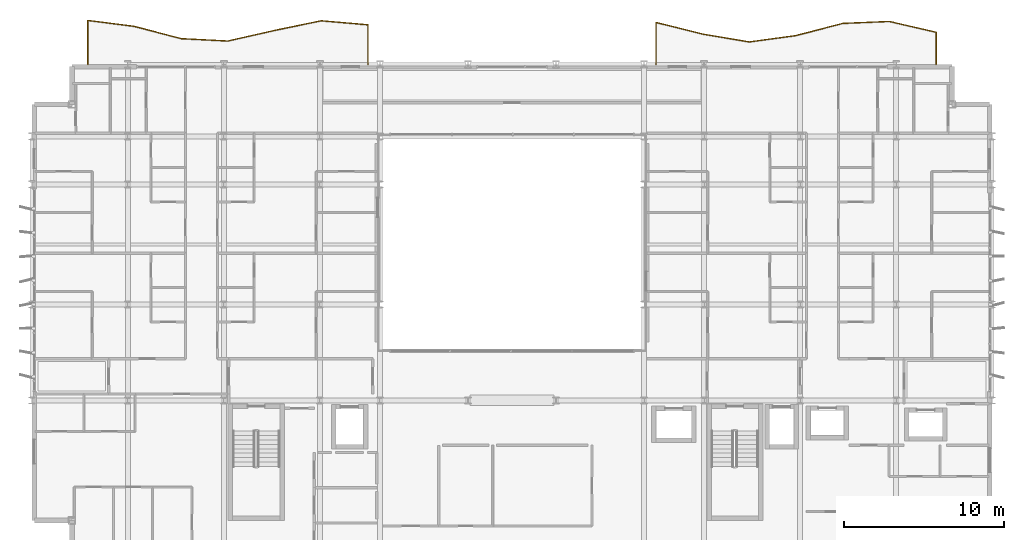
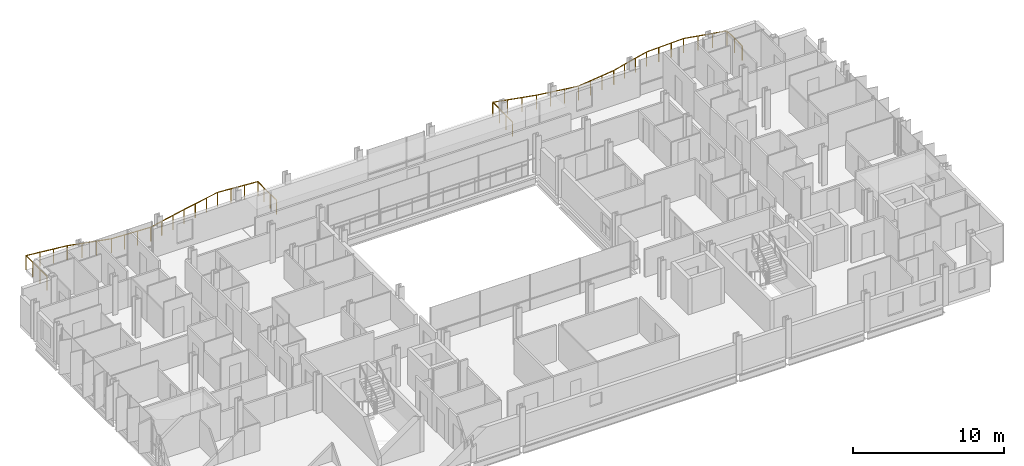
# One storey, part 39 of 39: 2 railings.
"""IFC4 building model written with IfcOpenShell, lengths in metres."""

from ifc_helpers import new_model, si_unit, direction, frame, origin, origin_2d, place, context, subcontext, project, spatial, circle, extrude, material, type_object, element, save


model = new_model("IFC4")

# Units and contexts
model_context = context("Model", 3, precision=1e-05, world=origin(), true_north=direction((0.0, 1.0)))
body_context = subcontext(model_context, "Body", "Model", "MODEL_VIEW")
ifc_project = project(units=[si_unit("LENGTHUNIT", "METRE"), si_unit("AREAUNIT", "SQUARE_METRE"), si_unit("VOLUMEUNIT", "CUBIC_METRE"), si_unit("PLANEANGLEUNIT", "RADIAN"), si_unit("MASSUNIT", "GRAM", prefix="KILO")], contexts=[model_context])

# Site, building, storey
site_placement = place(None, origin())
site = spatial("IfcSite", under=ifc_project, at=site_placement, CompositionType="ELEMENT")
building_placement = place(site_placement, origin())
building = spatial("IfcBuilding", under=site, at=building_placement, Name="Brevholm Reach", CompositionType="ELEMENT")
storey_placement = place(building_placement, frame((0.0, 0.0, 77.60009765625)))
storey = spatial("IfcBuildingStorey", under=building, at=storey_placement, Name="L22", CompositionType="ELEMENT", Elevation=77.60009765625)

# Railings
ifc_material = material(Name="Brushed Stainless Steel EN 1.4401 and Laminated Glass", Category="steel")
railing_type = type_object("IfcRailingType", Name="RAL-BALC-1150", PredefinedType="BALUSTRADE", material=ifc_material)
railing_1_placement = place(storey_placement, frame((56.5, 31.0, 0.0)))
element("IfcRailing", 1, at=railing_1_placement, inside=storey, type_object=railing_type, Name="L22 Guard Balustrade RAL-L22-BAL-NE", PredefinedType="BALUSTRADE", context=body_context, shape_type="SweptSolid", body=[
    extrude(circle(Radius=0.02392578125, at=origin_2d()), frame((0.0, 0.0, 1.1259765625), z_axis=(0.0, 1.0, 0.0), x_axis=(-1.0, 0.0, 0.0)), (0.0, 0.0, 1.0), 2.00439453125),
    extrude(circle(Radius=0.02392578125, at=origin_2d()), frame((0.0, 2.00439453125, 1.1259765625), z_axis=(-0.974086615793, 0.226175296912, 0.0), x_axis=(-0.226175296912, -0.974086615793, 0.0)), (0.0, 0.0, 1.0), 2.994384765625),
    extrude(circle(Radius=0.02392578125, at=origin_2d()), frame((-2.916748046875, 2.681640625, 1.1259765625), z_axis=(-0.999139150441, -0.041484431493, 0.0), x_axis=(0.041484431493, -0.999139150441, 0.0)), (0.0, 0.0, 1.0), 2.9189453125),
    extrude(circle(Radius=0.02392578125, at=origin_2d()), frame((-5.833251953125, 2.560546875, 1.1259765625), z_axis=(-0.967688627029, -0.252148212601, 0.0), x_axis=(0.252148212601, -0.967688627029, 0.0)), (0.0, 0.0, 1.0), 3.01416015625),
    extrude(circle(Radius=0.02392578125, at=origin_2d()), frame((-8.75, 1.800537109375, 1.1259765625), z_axis=(-0.990776091279, -0.135509176626, 0.0), x_axis=(0.135509176626, -0.990776091279, 0.0)), (0.0, 0.0, 1.0), 2.94384765625),
    extrude(circle(Radius=0.02392578125, at=origin_2d()), frame((-11.666748046875, 1.401611328125, 1.1259765625), z_axis=(-0.986326897089, 0.164800643445, 0.0), x_axis=(-0.164800643445, -0.986326897089, 0.0)), (0.0, 0.0, 1.0), 2.95703125),
    extrude(circle(Radius=0.02392578125, at=origin_2d()), frame((-14.583251953125, 1.888916015625, 1.1259765625), z_axis=(-0.969908046993, 0.243471518618, 0.0), x_axis=(-0.243471518618, -0.969908046993, 0.0)), (0.0, 0.0, 1.0), 3.00732421875),
    extrude(circle(Radius=0.02392578125, at=origin_2d()), frame((-17.5, 2.62109375, 1.1259765625), z_axis=(0.0, -1.0, 0.0), x_axis=(1.0, 0.0, 0.0)), (0.0, 0.0, 1.0), 2.62109375),
    extrude(circle(Radius=0.02099609375, at=origin_2d()), origin(), (0.0, 0.0, 1.0), 1.101806640625),
    extrude(circle(Radius=0.02099609375, at=origin_2d()), frame((0.0, 1.002197265625, 0.0)), (0.0, 0.0, 1.0), 1.101806640625),
    extrude(circle(Radius=0.02099609375, at=origin_2d()), frame((0.0, 2.00439453125, 0.0)), (0.0, 0.0, 1.0), 1.101806640625),
    extrude(circle(Radius=0.02099609375, at=origin_2d()), frame((-0.97216796875, 2.230224609375, 0.0)), (0.0, 0.0, 1.0), 1.101806640625),
    extrude(circle(Radius=0.02099609375, at=origin_2d()), frame((-1.944580078125, 2.455810546875, 0.0)), (0.0, 0.0, 1.0), 1.101806640625),
    extrude(circle(Radius=0.02099609375, at=origin_2d()), frame((-2.916748046875, 2.681640625, 0.0)), (0.0, 0.0, 1.0), 1.101806640625),
    extrude(circle(Radius=0.02099609375, at=origin_2d()), frame((-3.888916015625, 2.641357421875, 0.0)), (0.0, 0.0, 1.0), 1.101806640625),
    extrude(circle(Radius=0.02099609375, at=origin_2d()), frame((-4.861083984375, 2.600830078125, 0.0)), (0.0, 0.0, 1.0), 1.101806640625),
    extrude(circle(Radius=0.02099609375, at=origin_2d()), frame((-5.833251953125, 2.560546875, 0.0)), (0.0, 0.0, 1.0), 1.101806640625),
    extrude(circle(Radius=0.02099609375, at=origin_2d()), frame((-6.805419921875, 2.30712890625, 0.0)), (0.0, 0.0, 1.0), 1.101806640625),
    extrude(circle(Radius=0.02099609375, at=origin_2d()), frame((-7.77783203125, 2.053955078125, 0.0)), (0.0, 0.0, 1.0), 1.101806640625),
    extrude(circle(Radius=0.02099609375, at=origin_2d()), frame((-8.75, 1.800537109375, 0.0)), (0.0, 0.0, 1.0), 1.101806640625),
    extrude(circle(Radius=0.02099609375, at=origin_2d()), frame((-9.72216796875, 1.66748046875, 0.0)), (0.0, 0.0, 1.0), 1.101806640625),
    extrude(circle(Radius=0.02099609375, at=origin_2d()), frame((-10.694580078125, 1.53466796875, 0.0)), (0.0, 0.0, 1.0), 1.101806640625),
    extrude(circle(Radius=0.02099609375, at=origin_2d()), frame((-11.666748046875, 1.401611328125, 0.0)), (0.0, 0.0, 1.0), 1.101806640625),
    extrude(circle(Radius=0.02099609375, at=origin_2d()), frame((-12.638916015625, 1.56396484375, 0.0)), (0.0, 0.0, 1.0), 1.101806640625),
    extrude(circle(Radius=0.02099609375, at=origin_2d()), frame((-13.611083984375, 1.7265625, 0.0)), (0.0, 0.0, 1.0), 1.101806640625),
    extrude(circle(Radius=0.02099609375, at=origin_2d()), frame((-14.583251953125, 1.888916015625, 0.0)), (0.0, 0.0, 1.0), 1.101806640625),
    extrude(circle(Radius=0.02099609375, at=origin_2d()), frame((-15.555419921875, 2.133056640625, 0.0)), (0.0, 0.0, 1.0), 1.101806640625),
    extrude(circle(Radius=0.02099609375, at=origin_2d()), frame((-16.52783203125, 2.376953125, 0.0)), (0.0, 0.0, 1.0), 1.101806640625),
    extrude(circle(Radius=0.02099609375, at=origin_2d()), frame((-17.5, 2.62109375, 0.0)), (0.0, 0.0, 1.0), 1.101806640625),
    extrude(circle(Radius=0.02099609375, at=origin_2d()), frame((-17.5, 1.747314453125, 0.0)), (0.0, 0.0, 1.0), 1.101806640625),
    extrude(circle(Radius=0.02099609375, at=origin_2d()), frame((-17.5, 0.873779296875, 0.0)), (0.0, 0.0, 1.0), 1.101806640625),
    extrude(circle(Radius=0.02099609375, at=origin_2d()), frame((-17.5, 0.0, 0.0)), (0.0, 0.0, 1.0), 1.101806640625),
])
railing_2_placement = place(storey_placement, frame((21.0, 31.0, 0.0)))
element("IfcRailing", 2, at=railing_2_placement, inside=storey, type_object=railing_type, Name="L22 Guard Balustrade RAL-L22-BAL-NW", PredefinedType="BALUSTRADE", context=body_context, shape_type="SweptSolid", body=[
    extrude(circle(Radius=0.02392578125, at=origin_2d()), frame((0.0, 0.0, 1.1259765625), z_axis=(0.0, 1.0, 0.0), x_axis=(-1.0, 0.0, 0.0)), (0.0, 0.0, 1.0), 2.4716796875),
    extrude(circle(Radius=0.02392578125, at=origin_2d()), frame((0.0, 2.4716796875, 1.1259765625), z_axis=(-0.996282713287, 0.086143805376, 0.0), x_axis=(-0.086143805376, -0.996282713287, 0.0)), (0.0, 0.0, 1.0), 2.927734375),
    extrude(circle(Radius=0.02392578125, at=origin_2d()), frame((-2.916748046875, 2.723876953125, 1.1259765625), z_axis=(-0.979367411888, -0.202087784221, 0.0), x_axis=(0.202087784221, -0.979367411888, 0.0)), (0.0, 0.0, 1.0), 2.97802734375),
    extrude(circle(Radius=0.02392578125, at=origin_2d()), frame((-5.833251953125, 2.1220703125, 1.1259765625), z_axis=(-0.975083925705, -0.221836286102, 0.0), x_axis=(0.221836286102, -0.975083925705, 0.0)), (0.0, 0.0, 1.0), 2.9912109375),
    extrude(circle(Radius=0.02392578125, at=origin_2d()), frame((-8.75, 1.45849609375, 1.1259765625), z_axis=(-0.998720239463, 0.050575520622, 0.0), x_axis=(-0.050575520622, -0.998720239463, 0.0)), (0.0, 0.0, 1.0), 2.92041015625),
    extrude(circle(Radius=0.02392578125, at=origin_2d()), frame((-11.666748046875, 1.606201171875, 1.1259765625), z_axis=(-0.967306983138, 0.25360836022, 0.0), x_axis=(-0.25360836022, -0.967306983138, 0.0)), (0.0, 0.0, 1.0), 3.01513671875),
    extrude(circle(Radius=0.02392578125, at=origin_2d()), frame((-14.583251953125, 2.370849609375, 1.1259765625), z_axis=(-0.991815212116, 0.12768157665, 0.0), x_axis=(-0.12768157665, -0.991815212116, 0.0)), (0.0, 0.0, 1.0), 2.94091796875),
    extrude(circle(Radius=0.02392578125, at=origin_2d()), frame((-17.5, 2.746337890625, 1.1259765625), z_axis=(0.0, -1.0, 0.0), x_axis=(1.0, 0.0, 0.0)), (0.0, 0.0, 1.0), 2.746337890625),
    extrude(circle(Radius=0.02099609375, at=origin_2d()), origin(), (0.0, 0.0, 1.0), 1.101806640625),
    extrude(circle(Radius=0.02099609375, at=origin_2d()), frame((0.0, 0.823974609375, 0.0)), (0.0, 0.0, 1.0), 1.101806640625),
    extrude(circle(Radius=0.02099609375, at=origin_2d()), frame((0.0, 1.647705078125, 0.0)), (0.0, 0.0, 1.0), 1.101806640625),
    extrude(circle(Radius=0.02099609375, at=origin_2d()), frame((0.0, 2.4716796875, 0.0)), (0.0, 0.0, 1.0), 1.101806640625),
    extrude(circle(Radius=0.02099609375, at=origin_2d()), frame((-0.97216796875, 2.5556640625, 0.0)), (0.0, 0.0, 1.0), 1.101806640625),
    extrude(circle(Radius=0.02099609375, at=origin_2d()), frame((-1.944580078125, 2.639892578125, 0.0)), (0.0, 0.0, 1.0), 1.101806640625),
    extrude(circle(Radius=0.02099609375, at=origin_2d()), frame((-2.916748046875, 2.723876953125, 0.0)), (0.0, 0.0, 1.0), 1.101806640625),
    extrude(circle(Radius=0.02099609375, at=origin_2d()), frame((-3.888916015625, 2.523193359375, 0.0)), (0.0, 0.0, 1.0), 1.101806640625),
    extrude(circle(Radius=0.02099609375, at=origin_2d()), frame((-4.861083984375, 2.32275390625, 0.0)), (0.0, 0.0, 1.0), 1.101806640625),
    extrude(circle(Radius=0.02099609375, at=origin_2d()), frame((-5.833251953125, 2.1220703125, 0.0)), (0.0, 0.0, 1.0), 1.101806640625),
    extrude(circle(Radius=0.02099609375, at=origin_2d()), frame((-6.805419921875, 1.90087890625, 0.0)), (0.0, 0.0, 1.0), 1.101806640625),
    extrude(circle(Radius=0.02099609375, at=origin_2d()), frame((-7.77783203125, 1.6796875, 0.0)), (0.0, 0.0, 1.0), 1.101806640625),
    extrude(circle(Radius=0.02099609375, at=origin_2d()), frame((-8.75, 1.45849609375, 0.0)), (0.0, 0.0, 1.0), 1.101806640625),
    extrude(circle(Radius=0.02099609375, at=origin_2d()), frame((-9.72216796875, 1.5078125, 0.0)), (0.0, 0.0, 1.0), 1.101806640625),
    extrude(circle(Radius=0.02099609375, at=origin_2d()), frame((-10.694580078125, 1.556884765625, 0.0)), (0.0, 0.0, 1.0), 1.101806640625),
    extrude(circle(Radius=0.02099609375, at=origin_2d()), frame((-11.666748046875, 1.606201171875, 0.0)), (0.0, 0.0, 1.0), 1.101806640625),
    extrude(circle(Radius=0.02099609375, at=origin_2d()), frame((-12.638916015625, 1.861083984375, 0.0)), (0.0, 0.0, 1.0), 1.101806640625),
    extrude(circle(Radius=0.02099609375, at=origin_2d()), frame((-13.611083984375, 2.115966796875, 0.0)), (0.0, 0.0, 1.0), 1.101806640625),
    extrude(circle(Radius=0.02099609375, at=origin_2d()), frame((-14.583251953125, 2.370849609375, 0.0)), (0.0, 0.0, 1.0), 1.101806640625),
    extrude(circle(Radius=0.02099609375, at=origin_2d()), frame((-15.555419921875, 2.49609375, 0.0)), (0.0, 0.0, 1.0), 1.101806640625),
    extrude(circle(Radius=0.02099609375, at=origin_2d()), frame((-16.52783203125, 2.62109375, 0.0)), (0.0, 0.0, 1.0), 1.101806640625),
    extrude(circle(Radius=0.02099609375, at=origin_2d()), frame((-17.5, 2.746337890625, 0.0)), (0.0, 0.0, 1.0), 1.101806640625),
    extrude(circle(Radius=0.02099609375, at=origin_2d()), frame((-17.5, 1.830810546875, 0.0)), (0.0, 0.0, 1.0), 1.101806640625),
    extrude(circle(Radius=0.02099609375, at=origin_2d()), frame((-17.5, 0.91552734375, 0.0)), (0.0, 0.0, 1.0), 1.101806640625),
    extrude(circle(Radius=0.02099609375, at=origin_2d()), frame((-17.5, 0.0, 0.0)), (0.0, 0.0, 1.0), 1.101806640625),
])

save(model, "model.ifc")
